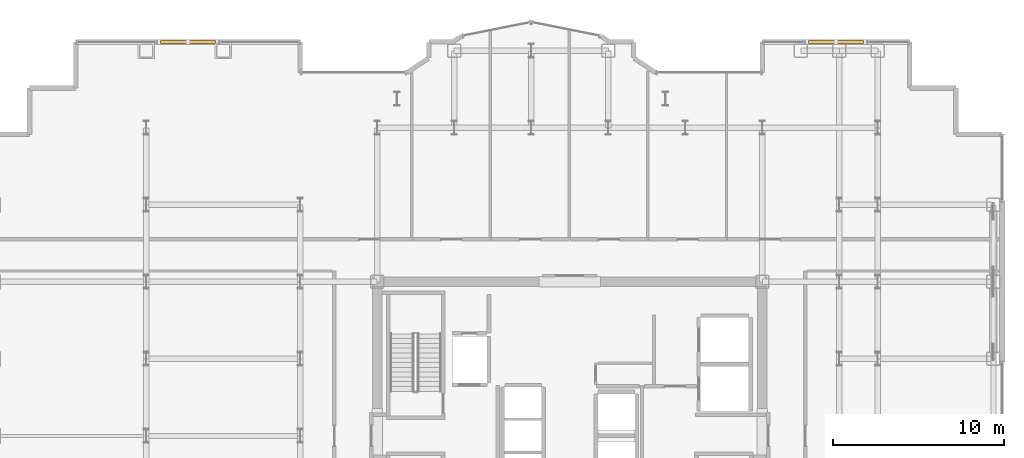
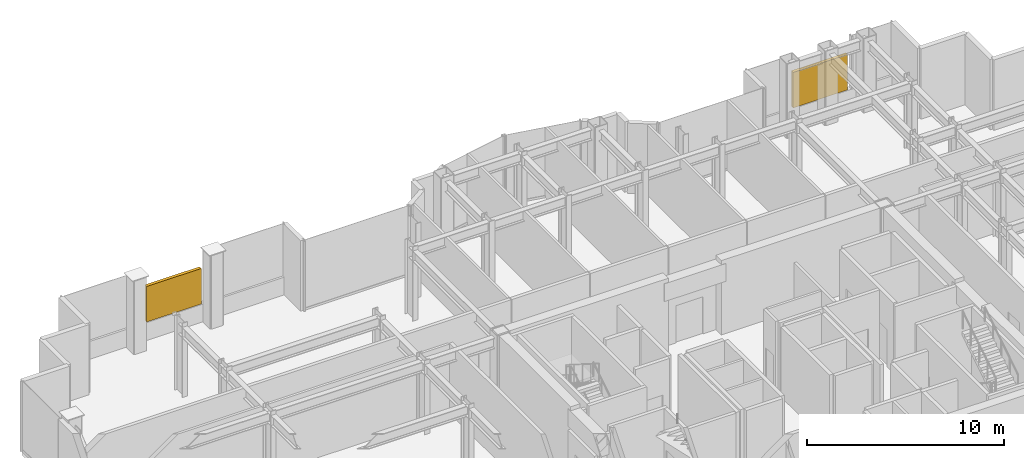
# One storey, part 26 of 26: 2 shading devices.
"""IFC4 building model written with IfcOpenShell, lengths in metres."""

from ifc_helpers import new_model, si_unit, direction, frame, origin, origin_2d, place, context, subcontext, project, spatial, rectangle, extrude, source, transform, mapped, material, type_object, element, save


model = new_model("IFC4")

# Units and contexts
model_context = context("Model", 3, precision=1e-05, world=origin(), true_north=direction((0.0, 1.0)))
body_context = subcontext(model_context, "Body", "Model", "MODEL_VIEW")
ifc_project = project(units=[si_unit("LENGTHUNIT", "METRE"), si_unit("AREAUNIT", "SQUARE_METRE"), si_unit("VOLUMEUNIT", "CUBIC_METRE"), si_unit("PLANEANGLEUNIT", "RADIAN"), si_unit("MASSUNIT", "GRAM", prefix="KILO")], contexts=[model_context])

# Site, building, storey
site_placement = place(None, origin())
site = spatial("IfcSite", under=ifc_project, at=site_placement, CompositionType="ELEMENT")
building_placement = place(site_placement, origin())
building = spatial("IfcBuilding", under=site, at=building_placement, Name="Nefas-Gora Pilgrimage Tower", CompositionType="ELEMENT")
storey_placement = place(building_placement, frame((0.0, 0.0, 202.0)))
storey = spatial("IfcBuildingStorey", under=building, at=storey_placement, Name="L50", CompositionType="ELEMENT", Elevation=202.0)

# Shading devices
ifc_material_1 = material(Name="Dark-bronze anodised aluminium acoustic storm louvre", Category="aluminium")
shading_device_type_1 = type_object("IfcShadingDeviceType", Name="SHD-LOUVRE-JAL", PredefinedType="JALOUSIE", material=ifc_material_1)
shared_shape_1 = source(origin(), body_context, "Body", "SweptSolid", [
    extrude(rectangle(XDim=3.199951171875, YDim=0.179931640625, at=origin_2d()), origin(), (0.0, 0.0, 1.0), 2.199951171875),
])
shading_device_1_placement = place(storey_placement, frame((15.56005859375, 23.02001953125, 1.10009765625), z_axis=(0.0, 0.0, 1.0), x_axis=(1.0, 0.0, 0.0)))
element("IfcShadingDevice", 1, at=shading_device_1_placement, inside=storey, type_object=shading_device_type_1, Name="L50 High-Altitude Storm Louvre Assembly 15", PredefinedType="JALOUSIE", context=body_context, shape_type="MappedRepresentation", body=[
    mapped(shared_shape_1, transform((0.0, 0.0, 0.0), x_axis=(1.0, 0.0, 0.0), y_axis=(0.0, 1.0, 0.0), z_axis=(0.0, 0.0, 1.0), scale=1.0)),
])
ifc_material_2 = material(Name="Perforated dark-bronze aluminium weather screen", Category="aluminium")
shading_device_type_2 = type_object("IfcShadingDeviceType", Name="SHD-SCREEN-SHUT", PredefinedType="SHUTTER", material=ifc_material_2)
shared_shape_2 = source(origin(), body_context, "Body", "SweptSolid", [
    extrude(rectangle(XDim=3.199951171875, YDim=0.179931640625, at=origin_2d()), origin(), (0.0, 0.0, 1.0), 2.199951171875),
])
shading_device_2_placement = place(storey_placement, frame((-22.31005859375, 23.02001953125, 1.10009765625), z_axis=(0.0, 0.0, 1.0), x_axis=(1.0, 0.0, 0.0)))
element("IfcShadingDevice", 2, at=shading_device_2_placement, inside=storey, type_object=shading_device_type_2, Name="L50 High-Altitude Storm Louvre Assembly 26", PredefinedType="SHUTTER", context=body_context, shape_type="MappedRepresentation", body=[
    mapped(shared_shape_2, transform((0.0, 0.0, 0.0), x_axis=(1.0, 0.0, 0.0), y_axis=(0.0, 1.0, 0.0), z_axis=(0.0, 0.0, 1.0), scale=1.0)),
])

save(model, "model.ifc")
